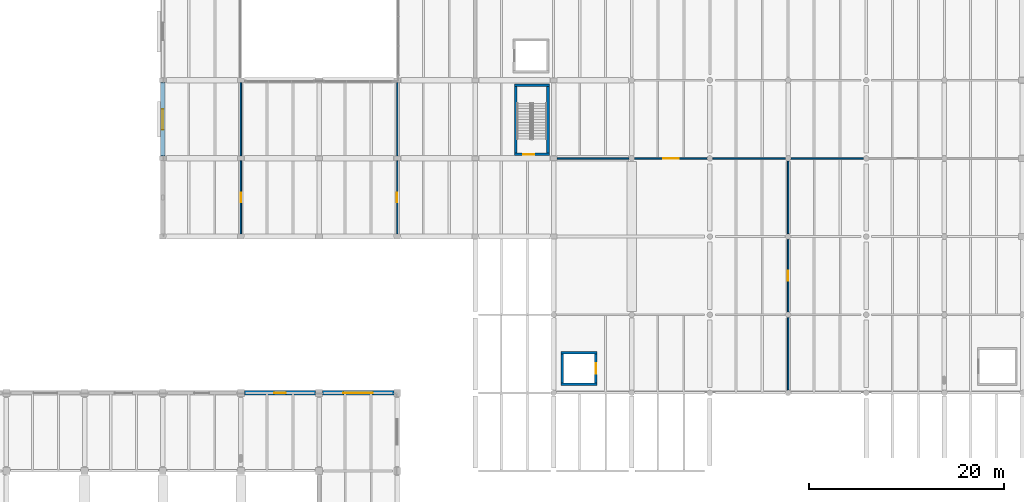
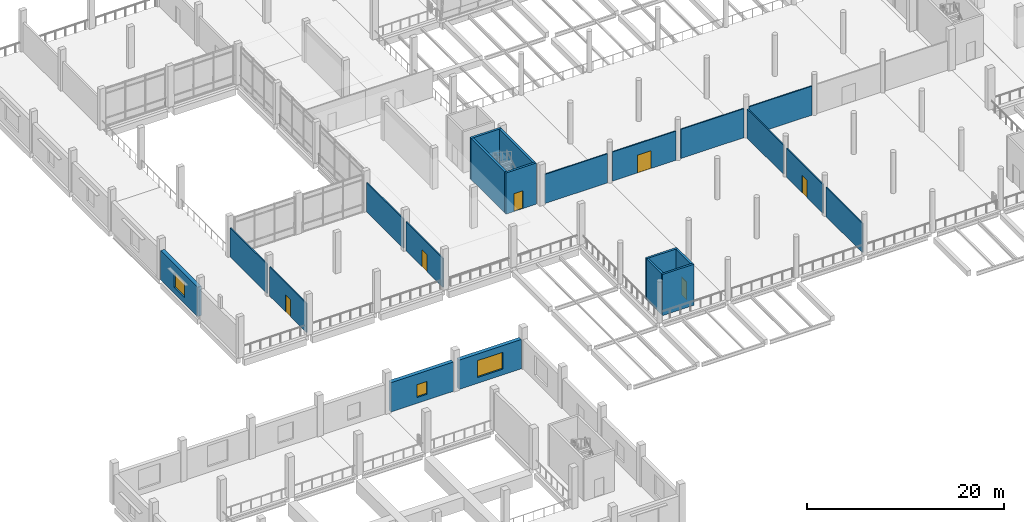
# One storey, part 33 of 61: 22 walls, 6 doors, 3 windows, 9 openings.
"""IFC4 building model written with IfcOpenShell, lengths in metres."""

from ifc_helpers import new_model, si_unit, direction, frame, frame_2d, origin, place, context, subcontext, project, spatial, rectangle, extrude, material, layer, layer_set, type_object, element, fill, save


model = new_model("IFC4")

# Units and contexts
model_context = context("Model", 3, precision=1e-05, world=origin(), true_north=direction((0.0, 1.0)))
body_context = subcontext(model_context, "Body", "Model", "MODEL_VIEW")
ifc_project = project(units=[si_unit("LENGTHUNIT", "METRE"), si_unit("AREAUNIT", "SQUARE_METRE"), si_unit("VOLUMEUNIT", "CUBIC_METRE"), si_unit("PLANEANGLEUNIT", "RADIAN"), si_unit("MASSUNIT", "GRAM", prefix="KILO")], contexts=[model_context])

# Site, building, storey
site_placement = place(None, origin())
site = spatial("IfcSite", under=ifc_project, at=site_placement, CompositionType="ELEMENT")
building_placement = place(site_placement, origin())
building = spatial("IfcBuilding", under=site, at=building_placement, Name="Pecanmere Concourse Central Library", CompositionType="ELEMENT")
storey_placement = place(building_placement, frame((0.0, 0.0, 5.39990234375)))
storey = spatial("IfcBuildingStorey", under=building, at=storey_placement, Name="L02", CompositionType="ELEMENT", Elevation=5.39990234375)

# Wall, opening, window
ifc_material_1 = material(Name="Texas cream limestone ashlar masonry", Category="masonry")
ifc_layer_1 = layer(ifc_material_1, 0.43994140625, Name="EW_LIME_440")
ifc_layer_set_1 = layer_set([ifc_layer_1], Name="Texas cream limestone ashlar masonry")
wall_type_1 = type_object("IfcWallType", Name="EW_LIME_440", PredefinedType="STANDARD", material=ifc_layer_set_1)
wall_1_placement = place(storey_placement, frame((39.655029296875, 32.0, 0.0), z_axis=(0.0, 0.0, 1.0), x_axis=(-1.0, 0.0, 0.0)))
wall_1 = element("IfcWall", 1, at=wall_1_placement, inside=storey, type_object=wall_type_1, Name="Limestone Facade Wall L02-0059", PredefinedType="STANDARD", context=body_context, shape_type="SweptSolid", body=[
    extrude(rectangle(XDim=7.31005859375, YDim=0.43994140625, at=frame_2d((3.655029296875, 0.0))), origin(), (0.0, 0.0, 1.0), 3.64013671875),
])
opening_1_placement = place(wall_1_placement, frame((3.054931640625, 0.0, 0.719970703125)))
opening_1 = element("IfcOpeningElement", 2, at=opening_1_placement, cuts=wall_1, Name="Opening WN-13", PredefinedType="OPENING", context=body_context, shape_type="SweptSolid", body=[
    extrude(rectangle(XDim=1.199951171875, YDim=1.60009765625, at=frame_2d((0.60009765625, 0.800048828125))), frame((0.0, 0.23193359375, 0.0), z_axis=(0.0, -1.0, 0.0), x_axis=(1.0, 0.0, 0.0)), (0.0, 0.0, 1.0), 0.4638671875),
])
ifc_material_2 = material(Name="Low-iron clear insulated glazing", Category="glass")
window_type_1 = type_object("IfcWindowType", Name="WIN_1200x1600", PartitioningType="SINGLE_PANEL", PredefinedType="WINDOW", material=ifc_material_2)
window_1_placement = place(opening_1_placement, origin())
window_1 = element("IfcWindow", 3, at=window_1_placement, inside=storey, type_object=window_type_1, Name="WN-044", OverallHeight=1.60009765625, OverallWidth=1.199951171875, PartitioningType="SINGLE_PANEL", PredefinedType="WINDOW", context=body_context, shape_type="SweptSolid", body=[
    extrude(rectangle(XDim=1.199951171875, YDim=1.60009765625, at=frame_2d((0.60009765625, 0.800048828125))), frame((0.0, 0.030029296875, 0.0), z_axis=(0.0, -1.0, 0.0), x_axis=(1.0, 0.0, 0.0)), (0.0, 0.0, 1.0), 0.06005859375),
])
fill(opening_1, window_1)

wall_2_placement = place(storey_placement, frame((47.655029296875, 32.0, 0.0), z_axis=(0.0, 0.0, 1.0), x_axis=(-1.0, 0.0, 0.0)))
wall_2 = element("IfcWall", 4, at=wall_2_placement, inside=storey, type_object=wall_type_1, Name="Limestone Facade Wall L02-0061", PredefinedType="STANDARD", context=body_context, shape_type="SweptSolid", body=[
    extrude(rectangle(XDim=7.31005859375, YDim=0.43994140625, at=frame_2d((3.655029296875, 0.0))), origin(), (0.0, 0.0, 1.0), 3.64013671875),
])
opening_2_placement = place(wall_2_placement, frame((2.155029296875, 0.0, 0.719970703125)))
opening_2 = element("IfcOpeningElement", 5, at=opening_2_placement, cuts=wall_2, Name="Opening WN-17", PredefinedType="OPENING", context=body_context, shape_type="SweptSolid", body=[
    extrude(rectangle(XDim=3.0, YDim=2.10009765625, at=frame_2d((1.5, 1.050048828125))), frame((0.0, 0.23193359375, 0.0), z_axis=(0.0, -1.0, 0.0), x_axis=(1.0, 0.0, 0.0)), (0.0, 0.0, 1.0), 0.4638671875),
])
ifc_material_3 = material(Name="Low-iron clear insulated glazing", Category="glass")
window_type_2 = type_object("IfcWindowType", Name="WIN_3000x2100", PartitioningType="SINGLE_PANEL", PredefinedType="WINDOW", material=ifc_material_3)
window_2_placement = place(opening_2_placement, origin())
window_2 = element("IfcWindow", 6, at=window_2_placement, inside=storey, type_object=window_type_2, Name="WN-046", OverallHeight=2.10009765625, OverallWidth=3.0, PartitioningType="SINGLE_PANEL", PredefinedType="WINDOW", context=body_context, shape_type="SweptSolid", body=[
    extrude(rectangle(XDim=3.0, YDim=2.10009765625, at=frame_2d((1.5, 1.050048828125))), frame((0.0, 0.030029296875, 0.0), z_axis=(0.0, -1.0, 0.0), x_axis=(1.0, 0.0, 0.0)), (0.0, 0.0, 1.0), 0.06005859375),
])
fill(opening_2, window_2)

wall_3_placement = place(storey_placement, frame((24.0, 63.764892578125, 0.0), z_axis=(0.0, 0.0, 1.0), x_axis=(0.0, -1.0, 0.0)))
wall_3 = element("IfcWall", 7, at=wall_3_placement, inside=storey, type_object=wall_type_1, Name="Limestone Facade Wall L02-0146", PredefinedType="STANDARD", context=body_context, shape_type="SweptSolid", body=[
    extrude(rectangle(XDim=7.52978515625, YDim=0.43994140625, at=frame_2d((3.764892578125, 0.0))), origin(), (0.0, 0.0, 1.0), 3.64013671875),
])
opening_3_placement = place(wall_3_placement, frame((2.715087890625, 0.0, 0.719970703125)))
opening_3 = element("IfcOpeningElement", 8, at=opening_3_placement, cuts=wall_3, Name="Opening WN-18", PredefinedType="OPENING", context=body_context, shape_type="SweptSolid", body=[
    extrude(rectangle(XDim=2.10009765625, YDim=1.85009765625, at=frame_2d((1.050048828125, 0.925048828125))), frame((0.0, 0.23193359375, 0.0), z_axis=(0.0, -1.0, 0.0), x_axis=(1.0, 0.0, 0.0)), (0.0, 0.0, 1.0), 0.4638671875),
])
ifc_material_4 = material(Name="Low-iron clear insulated glazing", Category="glass")
window_type_3 = type_object("IfcWindowType", Name="WIN_2100x1850", PartitioningType="SINGLE_PANEL", PredefinedType="WINDOW", material=ifc_material_4)
window_3_placement = place(opening_3_placement, origin())
window_3 = element("IfcWindow", 9, at=window_3_placement, inside=storey, type_object=window_type_3, Name="WN-124", OverallHeight=1.85009765625, OverallWidth=2.10009765625, PartitioningType="SINGLE_PANEL", PredefinedType="WINDOW", context=body_context, shape_type="SweptSolid", body=[
    extrude(rectangle(XDim=2.10009765625, YDim=1.85009765625, at=frame_2d((1.050048828125, 0.925048828125))), frame((0.0, 0.030029296875, 0.0), z_axis=(0.0, -1.0, 0.0), x_axis=(1.0, 0.0, 0.0)), (0.0, 0.0, 1.0), 0.06005859375),
])
fill(opening_3, window_3)

# Wall, opening, door
ifc_material_5 = material(Name="Fire-rated gypsum board on acoustic steel stud", Category="steel")
ifc_layer_2 = layer(ifc_material_5, 0.135009765625, Name="IW_PART_135")
ifc_layer_set_2 = layer_set([ifc_layer_2], Name="Fire-rated gypsum board on acoustic steel stud")
wall_type_2 = type_object("IfcWallType", Name="IW_PART_135", PredefinedType="PARTITIONING", material=ifc_layer_set_2)
wall_4_placement = place(storey_placement, frame((32.0, 48.25, 0.0), z_axis=(0.0, 0.0, 1.0), x_axis=(0.0, 1.0, 0.0)))
wall_4 = element("IfcWall", 10, at=wall_4_placement, inside=storey, type_object=wall_type_2, Name="Interior Partition L02-0134", PredefinedType="PARTITIONING", context=body_context, shape_type="SweptSolid", body=[
    extrude(rectangle(XDim=7.5, YDim=0.135009765625, at=frame_2d((3.75, 0.0))), origin(), (0.0, 0.0, 1.0), 3.610107421875),
])
opening_4_placement = place(wall_4_placement, frame((3.25, 0.0, 0.0)))
opening_4 = element("IfcOpeningElement", 11, at=opening_4_placement, cuts=wall_4, Name="Opening DT-04", PredefinedType="OPENING", context=body_context, shape_type="SweptSolid", body=[
    extrude(rectangle(XDim=1.0, YDim=2.14990234375, at=frame_2d((0.5, 1.074951171875))), frame((0.0, 0.07958984375, 0.0), z_axis=(0.0, -1.0, 0.0), x_axis=(1.0, 0.0, 0.0)), (0.0, 0.0, 1.0), 0.158935546875),
])
ifc_material_6 = material(Name="Solid white oak architectural joinery")
door_type_1 = type_object("IfcDoorType", Name="DT-04", OperationType="SINGLE_SWING_RIGHT", PredefinedType="DOOR", material=ifc_material_6)
door_1_placement = place(opening_4_placement, frame((1.0, 0.0, 0.0), z_axis=(0.0, 0.0, 1.0), x_axis=(-1.0, 0.0, 0.0)))
door_1 = element("IfcDoor", 12, at=door_1_placement, inside=storey, type_object=door_type_1, Name="D-187", OperationType="SINGLE_SWING_RIGHT", OverallHeight=2.14990234375, OverallWidth=1.0, PredefinedType="DOOR", context=body_context, shape_type="SweptSolid", body=[
    extrude(rectangle(XDim=1.0, YDim=2.14990234375, at=frame_2d((0.5, 1.074951171875))), frame((0.0, 0.02490234375, 0.0), z_axis=(0.0, -1.0, 0.0), x_axis=(1.0, 0.0, 0.0)), (0.0, 0.0, 1.0), 0.050048828125),
])
fill(opening_4, door_1)

# Wall
wall_5_placement = place(storey_placement, frame((32.0, 56.25, 0.0), z_axis=(0.0, 0.0, 1.0), x_axis=(0.0, 1.0, 0.0)))
element("IfcWall", 13, at=wall_5_placement, inside=storey, type_object=wall_type_2, Name="Interior Partition L02-0135", PredefinedType="PARTITIONING", context=body_context, shape_type="SweptSolid", body=[
    extrude(rectangle(XDim=7.5, YDim=0.135009765625, at=frame_2d((3.75, 0.0))), origin(), (0.0, 0.0, 1.0), 3.610107421875),
])

# Wall, opening, door
wall_6_placement = place(storey_placement, frame((48.0, 48.25, 0.0), z_axis=(0.0, 0.0, 1.0), x_axis=(0.0, 1.0, 0.0)))
wall_6 = element("IfcWall", 14, at=wall_6_placement, inside=storey, type_object=wall_type_2, Name="Interior Partition L02-0138", PredefinedType="PARTITIONING", context=body_context, shape_type="SweptSolid", body=[
    extrude(rectangle(XDim=7.5, YDim=0.135009765625, at=frame_2d((3.75, 0.0))), origin(), (0.0, 0.0, 1.0), 3.610107421875),
])
opening_5_placement = place(wall_6_placement, frame((3.25, 0.0, 0.0)))
opening_5 = element("IfcOpeningElement", 15, at=opening_5_placement, cuts=wall_6, Name="Opening DT-03", PredefinedType="OPENING", context=body_context, shape_type="SweptSolid", body=[
    extrude(rectangle(XDim=1.0, YDim=2.14990234375, at=frame_2d((0.5, 1.074951171875))), frame((0.0, 0.07958984375, 0.0), z_axis=(0.0, -1.0, 0.0), x_axis=(1.0, 0.0, 0.0)), (0.0, 0.0, 1.0), 0.158935546875),
])
ifc_material_7 = material(Name="Solid white oak architectural joinery")
door_type_2 = type_object("IfcDoorType", Name="DT-03", OperationType="SINGLE_SWING_LEFT", PredefinedType="DOOR", material=ifc_material_7)
door_2_placement = place(opening_5_placement, frame((1.0, 0.0, 0.0), z_axis=(0.0, 0.0, 1.0), x_axis=(-1.0, 0.0, 0.0)))
door_2 = element("IfcDoor", 16, at=door_2_placement, inside=storey, type_object=door_type_2, Name="D-189", OperationType="SINGLE_SWING_LEFT", OverallHeight=2.14990234375, OverallWidth=1.0, PredefinedType="DOOR", context=body_context, shape_type="SweptSolid", body=[
    extrude(rectangle(XDim=1.0, YDim=2.14990234375, at=frame_2d((0.5, 1.074951171875))), frame((0.0, 0.02490234375, 0.0), z_axis=(0.0, -1.0, 0.0), x_axis=(1.0, 0.0, 0.0)), (0.0, 0.0, 1.0), 0.050048828125),
])
fill(opening_5, door_2)

# Walls
wall_7_placement = place(storey_placement, frame((48.0, 56.25, 0.0), z_axis=(0.0, 0.0, 1.0), x_axis=(0.0, 1.0, 0.0)))
element("IfcWall", 17, at=wall_7_placement, inside=storey, type_object=wall_type_2, Name="Interior Partition L02-0139", PredefinedType="PARTITIONING", context=body_context, shape_type="SweptSolid", body=[
    extrude(rectangle(XDim=7.5, YDim=0.135009765625, at=frame_2d((3.75, 0.0))), origin(), (0.0, 0.0, 1.0), 3.610107421875),
])
wall_8_placement = place(storey_placement, frame((64.35009765625, 56.0, 0.0), z_axis=(0.0, 0.0, 1.0), x_axis=(1.0, 0.0, 0.0)))
element("IfcWall", 18, at=wall_8_placement, inside=storey, type_object=wall_type_2, Name="Interior Partition L02-0159", PredefinedType="PARTITIONING", context=body_context, shape_type="SweptSolid", body=[
    extrude(rectangle(XDim=7.35986328125, YDim=0.135009765625, at=frame_2d((3.679931640625, 0.0))), origin(), (0.0, 0.0, 1.0), 3.610107421875),
])

# Wall, opening, door
wall_9_placement = place(storey_placement, frame((72.2900390625, 56.0, 0.0), z_axis=(0.0, 0.0, 1.0), x_axis=(1.0, 0.0, 0.0)))
wall_9 = element("IfcWall", 19, at=wall_9_placement, inside=storey, type_object=wall_type_2, Name="Interior Partition L02-0160", PredefinedType="PARTITIONING", context=body_context, shape_type="SweptSolid", body=[
    extrude(rectangle(XDim=7.419921875, YDim=0.135009765625, at=frame_2d((3.7099609375, 0.0))), origin(), (0.0, 0.0, 1.0), 3.610107421875),
])
opening_6_placement = place(wall_9_placement, frame((2.909912109375, 0.0, 0.0)))
opening_6 = element("IfcOpeningElement", 20, at=opening_6_placement, cuts=wall_9, Name="Opening DT-02", PredefinedType="OPENING", context=body_context, shape_type="SweptSolid", body=[
    extrude(rectangle(XDim=1.60009765625, YDim=2.199951171875, at=frame_2d((0.800048828125, 1.10009765625))), frame((0.0, 0.07958984375, 0.0), z_axis=(0.0, -1.0, 0.0), x_axis=(1.0, 0.0, 0.0)), (0.0, 0.0, 1.0), 0.158935546875),
])
ifc_material_8 = material(Name="Solid white oak architectural joinery")
door_type_3 = type_object("IfcDoorType", Name="DT-02", OperationType="DOUBLE_DOOR_SINGLE_SWING", PredefinedType="DOOR", material=ifc_material_8)
door_3_placement = place(opening_6_placement, frame((1.60009765625, 0.0, 0.0), z_axis=(0.0, 0.0, 1.0), x_axis=(-1.0, 0.0, 0.0)))
door_3 = element("IfcDoor", 21, at=door_3_placement, inside=storey, type_object=door_type_3, Name="D-199", OperationType="DOUBLE_DOOR_SINGLE_SWING", OverallHeight=2.199951171875, OverallWidth=1.60009765625, PredefinedType="DOOR", context=body_context, shape_type="SweptSolid", body=[
    extrude(rectangle(XDim=1.60009765625, YDim=2.199951171875, at=frame_2d((0.800048828125, 1.10009765625))), frame((0.0, 0.02490234375, 0.0), z_axis=(0.0, -1.0, 0.0), x_axis=(1.0, 0.0, 0.0)), (0.0, 0.0, 1.0), 0.050048828125),
])
fill(opening_6, door_3)

# Walls
for number, where, z_axis, x_axis, name in (
    (22, (80.2900390625, 56.0, 0.0), (0.0, 0.0, 1.0), (1.0, 0.0, 0.0), "Interior Partition L02-0161"),
    (23, (88.2900390625, 56.0, 0.0), (0.0, 0.0, 1.0), (1.0, 0.0, 0.0), "Interior Partition L02-0162"),
    (24, (88.0, 32.2900390625, 0.0), (0.0, 0.0, 1.0), (0.0, 1.0, 0.0), "Interior Partition L02-0165"),
):
    element("IfcWall", number, at=place(storey_placement, frame(where, z_axis=z_axis, x_axis=x_axis)), inside=storey, type_object=wall_type_2, Name=name, PredefinedType="PARTITIONING", context=body_context, shape_type="SweptSolid", body=[
        extrude(rectangle(XDim=7.419921875, YDim=0.135009765625, at=frame_2d((3.7099609375, 0.0))), origin(), (0.0, 0.0, 1.0), 3.610107421875),
    ])

# Wall, opening, door
wall_10_placement = place(storey_placement, frame((88.0, 40.2900390625, 0.0), z_axis=(0.0, 0.0, 1.0), x_axis=(0.0, 1.0, 0.0)))
wall_10 = element("IfcWall", 25, at=wall_10_placement, inside=storey, type_object=wall_type_2, Name="Interior Partition L02-0166", PredefinedType="PARTITIONING", context=body_context, shape_type="SweptSolid", body=[
    extrude(rectangle(XDim=7.419921875, YDim=0.135009765625, at=frame_2d((3.7099609375, 0.0))), origin(), (0.0, 0.0, 1.0), 3.610107421875),
])
opening_7_placement = place(wall_10_placement, frame((3.2099609375, 0.0, 0.0)))
opening_7 = element("IfcOpeningElement", 26, at=opening_7_placement, cuts=wall_10, Name="Opening DT-03", PredefinedType="OPENING", context=body_context, shape_type="SweptSolid", body=[
    extrude(rectangle(XDim=1.0, YDim=2.14990234375, at=frame_2d((0.5, 1.074951171875))), frame((0.0, 0.07958984375, 0.0), z_axis=(0.0, -1.0, 0.0), x_axis=(1.0, 0.0, 0.0)), (0.0, 0.0, 1.0), 0.158935546875),
])
door_4_placement = place(opening_7_placement, frame((1.0, 0.0, 0.0), z_axis=(0.0, 0.0, 1.0), x_axis=(-1.0, 0.0, 0.0)))
door_4 = element("IfcDoor", 27, at=door_4_placement, inside=storey, type_object=door_type_2, Name="D-201", OperationType="SINGLE_SWING_LEFT", OverallHeight=2.14990234375, OverallWidth=1.0, PredefinedType="DOOR", context=body_context, shape_type="SweptSolid", body=[
    extrude(rectangle(XDim=1.0, YDim=2.14990234375, at=frame_2d((0.5, 1.074951171875))), frame((0.0, 0.02490234375, 0.0), z_axis=(0.0, -1.0, 0.0), x_axis=(1.0, 0.0, 0.0)), (0.0, 0.0, 1.0), 0.050048828125),
])
fill(opening_7, door_4)

# Walls
wall_11_placement = place(storey_placement, frame((88.0, 48.2900390625, 0.0), z_axis=(0.0, 0.0, 1.0), x_axis=(0.0, 1.0, 0.0)))
element("IfcWall", 28, at=wall_11_placement, inside=storey, type_object=wall_type_2, Name="Interior Partition L02-0167", PredefinedType="PARTITIONING", context=body_context, shape_type="SweptSolid", body=[
    extrude(rectangle(XDim=7.419921875, YDim=0.135009765625, at=frame_2d((3.7099609375, 0.0))), origin(), (0.0, 0.0, 1.0), 3.610107421875),
])
ifc_material_9 = material(Name="Concrete C40/50", Category="concrete")
ifc_layer_3 = layer(ifc_material_9, 0.239990234375, Name="WALL_SLD_240")
ifc_layer_set_3 = layer_set([ifc_layer_3], Name="Concrete C40/50")
wall_type_3 = type_object("IfcWallType", Name="WALL_SLD_240", PredefinedType="SOLIDWALL", material=ifc_layer_set_3)
for number, where, z_axis, x_axis, name in (
    (29, (64.760009765625, 32.8798828125, 0.0), (0.0, 0.0, 1.0), (1.0, 0.0, 0.0), "Hoistway Wall LP-05 L02-S"),
    (30, (64.760009765625, 36.1201171875, 0.0), (0.0, 0.0, 1.0), (1.0, 0.0, 0.0), "Hoistway Wall LP-05 L02-N"),
):
    element("IfcWall", number, at=place(storey_placement, frame(where, z_axis=z_axis, x_axis=x_axis)), inside=storey, type_object=wall_type_3, Name=name, PredefinedType="SOLIDWALL", context=body_context, shape_type="SweptSolid", body=[
        extrude(rectangle(XDim=3.679931640625, YDim=0.239990234375, at=frame_2d((1.83984375, 0.0))), origin(), (0.0, 0.0, 1.0), 5.10009765625),
    ])
wall_12_placement = place(storey_placement, frame((64.8798828125, 33.0, 0.0), z_axis=(0.0, 0.0, 1.0), x_axis=(0.0, 1.0, 0.0)))
element("IfcWall", 31, at=wall_12_placement, inside=storey, type_object=wall_type_3, Name="Hoistway Wall LP-05 L02-W", PredefinedType="SOLIDWALL", context=body_context, shape_type="SweptSolid", body=[
    extrude(rectangle(XDim=3.0, YDim=0.239990234375, at=frame_2d((1.5, 0.0))), origin(), (0.0, 0.0, 1.0), 5.10009765625),
])

# Wall, opening, door
wall_13_placement = place(storey_placement, frame((68.320068359375, 33.0, 0.0), z_axis=(0.0, 0.0, 1.0), x_axis=(0.0, 1.0, 0.0)))
wall_13 = element("IfcWall", 32, at=wall_13_placement, inside=storey, type_object=wall_type_3, Name="Hoistway Wall LP-05 L02-E", PredefinedType="SOLIDWALL", context=body_context, shape_type="SweptSolid", body=[
    extrude(rectangle(XDim=3.0, YDim=0.239990234375, at=frame_2d((1.5, 0.0))), origin(), (0.0, 0.0, 1.0), 5.10009765625),
])
opening_8_placement = place(wall_13_placement, frame((0.949951171875, 0.0, 0.0)))
opening_8 = element("IfcOpeningElement", 33, at=opening_8_placement, cuts=wall_13, Name="Opening LD-01", PredefinedType="OPENING", context=body_context, shape_type="SweptSolid", body=[
    extrude(rectangle(XDim=1.10009765625, YDim=2.199951171875, at=frame_2d((0.550048828125, 1.10009765625))), frame((0.0, 0.1318359375, 0.0), z_axis=(0.0, -1.0, 0.0), x_axis=(1.0, 0.0, 0.0)), (0.0, 0.0, 1.0), 0.263916015625),
])
ifc_material_10 = material(Name="Brushed stainless steel Grade 316", Category="steel")
door_type_4 = type_object("IfcDoorType", Name="LD-01", OperationType="DOUBLE_DOOR_SLIDING", PredefinedType="DOOR", material=ifc_material_10)
door_5_placement = place(opening_8_placement, origin())
door_5 = element("IfcDoor", 34, at=door_5_placement, inside=storey, type_object=door_type_4, Name="LD-LP-05-L02", OperationType="DOUBLE_DOOR_SLIDING", OverallHeight=2.199951171875, OverallWidth=1.10009765625, PredefinedType="DOOR", context=body_context, shape_type="SweptSolid", body=[
    extrude(rectangle(XDim=1.10009765625, YDim=2.199951171875, at=frame_2d((0.550048828125, 1.10009765625))), frame((0.0, 0.02490234375, 0.0), z_axis=(0.0, -1.0, 0.0), x_axis=(1.0, 0.0, 0.0)), (0.0, 0.0, 1.0), 0.050048828125),
])
fill(opening_8, door_5)

ifc_material_11 = material(Name="Concrete C40/50", Category="concrete")
ifc_layer_4 = layer(ifc_material_11, 0.260009765625, Name="WALL_SLD_260")
ifc_layer_set_4 = layer_set([ifc_layer_4], Name="Concrete C40/50")
wall_type_4 = type_object("IfcWallType", Name="WALL_SLD_260", PredefinedType="SOLIDWALL", material=ifc_layer_set_4)
wall_14_placement = place(storey_placement, frame((59.97998046875, 56.419921875, 0.0), z_axis=(0.0, 0.0, 1.0), x_axis=(1.0, 0.0, 0.0)))
wall_14 = element("IfcWall", 35, at=wall_14_placement, inside=storey, type_object=wall_type_4, Name="Core C6 South Wall L02", PredefinedType="SOLIDWALL", context=body_context, shape_type="SweptSolid", body=[
    extrude(rectangle(XDim=3.580078125, YDim=0.260009765625, at=frame_2d((1.7900390625, 0.0))), origin(), (0.0, 0.0, 1.0), 5.10009765625),
])
opening_9_placement = place(wall_14_placement, frame((0.919921875, 0.0, 0.0)))
opening_9 = element("IfcOpeningElement", 36, at=opening_9_placement, cuts=wall_14, Name="Opening FD-01", PredefinedType="OPENING", context=body_context, shape_type="SweptSolid", body=[
    extrude(rectangle(XDim=1.10009765625, YDim=2.199951171875, at=frame_2d((0.550048828125, 1.10009765625))), frame((0.0, 0.14208984375, 0.0), z_axis=(0.0, -1.0, 0.0), x_axis=(1.0, 0.0, 0.0)), (0.0, 0.0, 1.0), 0.283935546875),
])
ifc_material_12 = material(Name="Painted architectural steel ASTM A36", Category="steel")
door_type_5 = type_object("IfcDoorType", Name="FD-01", OperationType="SINGLE_SWING_LEFT", PredefinedType="DOOR", material=ifc_material_12)
door_6_placement = place(opening_9_placement, origin())
door_6 = element("IfcDoor", 37, at=door_6_placement, inside=storey, type_object=door_type_5, Name="D-041", OperationType="SINGLE_SWING_LEFT", OverallHeight=2.199951171875, OverallWidth=1.10009765625, PredefinedType="DOOR", context=body_context, shape_type="SweptSolid", body=[
    extrude(rectangle(XDim=1.10009765625, YDim=2.199951171875, at=frame_2d((0.550048828125, 1.10009765625))), frame((0.0, 0.02490234375, 0.0), z_axis=(0.0, -1.0, 0.0), x_axis=(1.0, 0.0, 0.0)), (0.0, 0.0, 1.0), 0.050048828125),
])
fill(opening_9, door_6)

# Walls
wall_15_placement = place(storey_placement, frame((59.97998046875, 63.5, 0.0), z_axis=(0.0, 0.0, 1.0), x_axis=(1.0, 0.0, 0.0)))
element("IfcWall", 38, at=wall_15_placement, inside=storey, type_object=wall_type_4, Name="Core C6 North Wall L02", PredefinedType="SOLIDWALL", context=body_context, shape_type="SweptSolid", body=[
    extrude(rectangle(XDim=3.580078125, YDim=0.260009765625, at=frame_2d((1.7900390625, 0.0))), origin(), (0.0, 0.0, 1.0), 5.10009765625),
])
for number, where, z_axis, x_axis, name in (
    (39, (60.110107421875, 56.550048828125, 0.0), (0.0, 0.0, 1.0), (0.0, 1.0, 0.0), "Core C6 W Wall L02"),
    (40, (63.429931640625, 56.550048828125, 0.0), (0.0, 0.0, 1.0), (0.0, 1.0, 0.0), "Core C6 E Wall L02"),
):
    element("IfcWall", number, at=place(storey_placement, frame(where, z_axis=z_axis, x_axis=x_axis)), inside=storey, type_object=wall_type_4, Name=name, PredefinedType="SOLIDWALL", context=body_context, shape_type="SweptSolid", body=[
        extrude(rectangle(XDim=6.820068359375, YDim=0.260009765625, at=frame_2d((3.41015625, 0.0))), origin(), (0.0, 0.0, 1.0), 5.10009765625),
    ])

save(model, "model.ifc")
